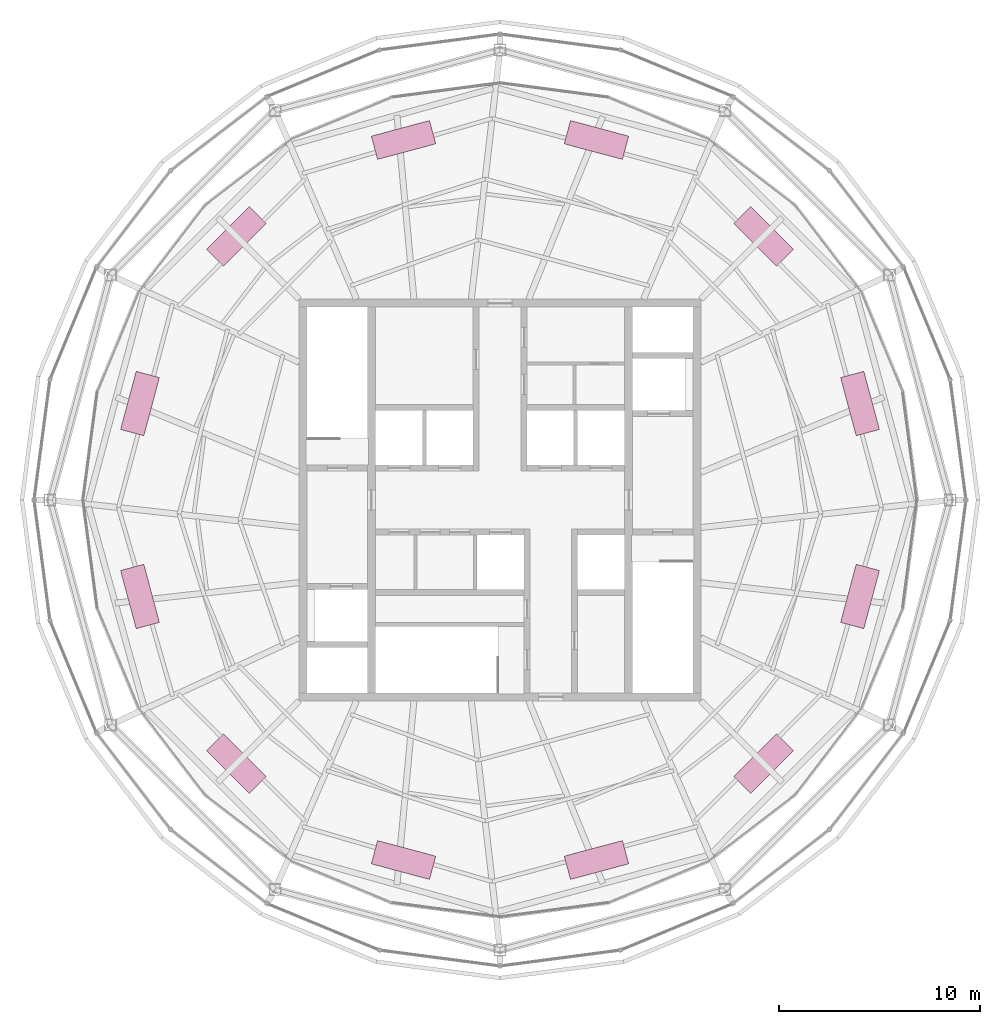
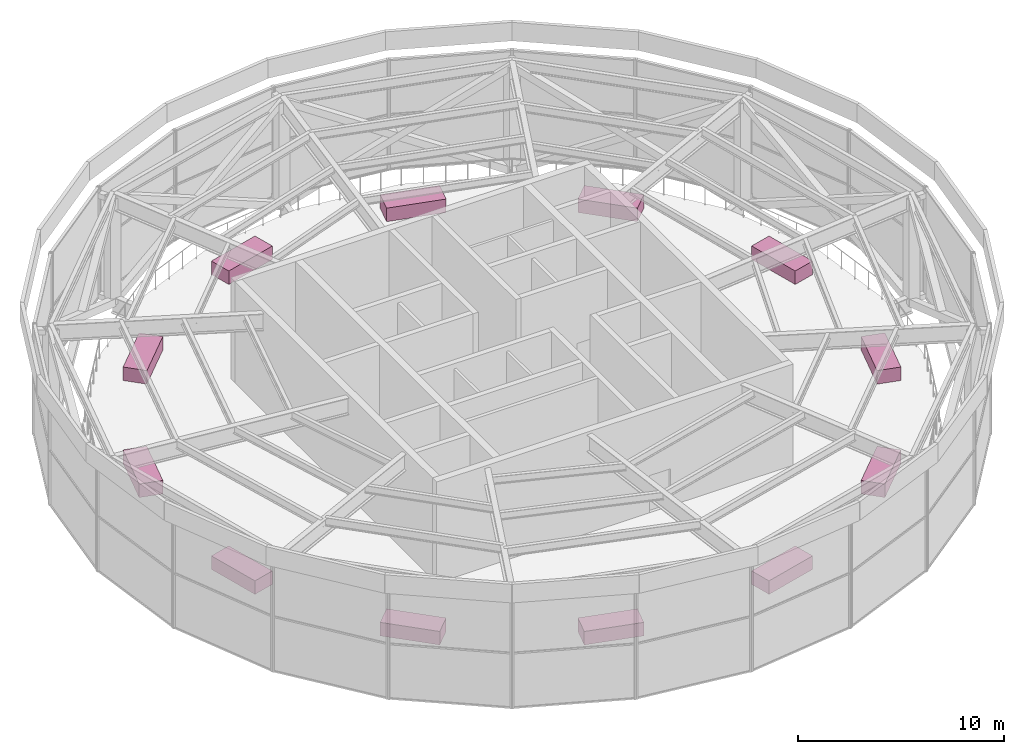
# One storey, part 13 of 13: 12 furniture elements.
"""IFC4 building model written with IfcOpenShell, lengths in metres."""

import ifcopenshell
import ifcopenshell.guid

model = None  # the IFC model being written
_history = None  # IfcOwnerHistory: only IFC2X3 demands one
_inside = {}  # id of a spatial element -> (the spatial element, [elements in it])
_under = {}  # id of a project, library or spatial element -> (it, [spatial elements below it])
_declared = {}  # id of a project -> (the project, [libraries it declares])
_typed = {}  # id of a type object -> (the type object, [elements of that type])
_made_of = {}  # id of a material, layer set ... -> (it, [elements and type objects made of it])


def new_model(schema):
    """Start an empty IFC model of exactly this schema.

    Asked for "IFC4X3", IfcOpenShell would pick the latest addendum, in which some entities
    have other attributes; the version numbers below select the first issue.
    IFC2X3 requires an IfcOwnerHistory on every rooted entity: one is made here for all.
    """
    global model, _history
    if schema == "IFC4X3":
        model = ifcopenshell.file(schema_version=(4, 3, 0, 0))
    else:
        model = ifcopenshell.file(schema=schema)
    _inside.clear()
    _under.clear()
    _declared.clear()
    _typed.clear()
    _made_of.clear()
    _history = None
    if model.schema == "IFC2X3":
        org = make("IfcOrganization", Name="unknown")
        user = make(
            "IfcPersonAndOrganization",
            ThePerson=make("IfcPerson", FamilyName="unknown"),
            TheOrganization=org,
        )
        app = make(
            "IfcApplication",
            ApplicationDeveloper=org,
            Version="unknown",
            ApplicationFullName="unknown",
            ApplicationIdentifier="unknown",
        )
        _history = make(
            "IfcOwnerHistory",
            OwningUser=user,
            OwningApplication=app,
            ChangeAction="ADDED",
            CreationDate=0,
        )
    return model


def make(cls, **values):
    """One entity of the class cls with the attributes given. An attribute that is None is left unset."""
    return model.create_entity(
        cls, **{name: value for name, value in values.items() if value is not None}
    )


def rooted(cls, **values):
    """An entity with a GlobalId (a new one), such as an element, a storey or a relation."""
    return make(cls, GlobalId=ifcopenshell.guid.new(), OwnerHistory=_history, **values)


def si_unit(unit_type, name, prefix=None):
    """IfcSIUnit, for example si_unit("LENGTHUNIT", "METRE", prefix="MILLI")."""
    return make("IfcSIUnit", UnitType=unit_type, Prefix=prefix, Name=name)


def assignment(units):
    """IfcUnitAssignment: the units of a project."""
    return None if units is None else make("IfcUnitAssignment", Units=units)


def point(xyz):
    """IfcCartesianPoint."""
    return None if xyz is None else make("IfcCartesianPoint", Coordinates=xyz)


def direction(xyz):
    """IfcDirection."""
    return None if xyz is None else make("IfcDirection", DirectionRatios=xyz)


def frame(location, z_axis=None, x_axis=None):
    """IfcAxis2Placement3D, a coordinate frame: its origin and axes. An axis left out is left unset."""
    return make(
        "IfcAxis2Placement3D",
        Location=point(location),
        Axis=direction(z_axis),
        RefDirection=direction(x_axis),
    )


def frame_2d(location, x_axis=None):
    """IfcAxis2Placement2D, a coordinate frame in the plane: its origin and x axis."""
    return make(
        "IfcAxis2Placement2D", Location=point(location), RefDirection=direction(x_axis)
    )


def origin():
    """The frame at (0, 0, 0) with its axes left unset."""
    return frame((0.0, 0.0, 0.0))


def origin_2d():
    """The frame at (0, 0) in the plane with its x axis left unset."""
    return frame_2d((0.0, 0.0))


def place(relative_to, where):
    """IfcLocalPlacement: puts the frame where relative to a parent placement (None: the world)."""
    return make(
        "IfcLocalPlacement", PlacementRelTo=relative_to, RelativePlacement=where
    )


def context(
    kind, dimensions, precision=None, world=None, true_north=None, identifier=None
):
    """IfcGeometricRepresentationContext, for example the 3D "Model" context."""
    return make(
        "IfcGeometricRepresentationContext",
        ContextIdentifier=identifier,
        ContextType=kind,
        CoordinateSpaceDimension=dimensions,
        Precision=precision,
        WorldCoordinateSystem=world,
        TrueNorth=true_north,
    )


def subcontext(parent, identifier, kind, view, scale=None):
    """IfcGeometricRepresentationSubContext, for example "Body" below "Model"."""
    return make(
        "IfcGeometricRepresentationSubContext",
        ContextIdentifier=identifier,
        ContextType=kind,
        ParentContext=parent,
        TargetScale=scale,
        TargetView=view,
    )


def project(units=None, contexts=None):
    """IfcProject with its units and contexts."""
    return rooted(
        "IfcProject",
        Name="project",
        RepresentationContexts=contexts,
        UnitsInContext=assignment(units),
    )


def spatial(cls, under=None, at=None, **own):
    """A site, building, storey or space (cls), placed at a placement, below another one or the project."""
    s = rooted(cls, ObjectPlacement=at, **own)
    if under is not None:
        _under.setdefault(under.id(), (under, []))[1].append(s)
    return s


def profile(cls, at=None, kind="AREA", **sizes):
    """A parametric profile (cls). Its sizes go by their IFC names, for example OverallWidth=200.0."""
    return make(cls, ProfileType=kind, Position=at, **sizes)


def rectangle(**sizes):
    """IfcRectangleProfileDef."""
    return profile("IfcRectangleProfileDef", **sizes)


def extrude(swept, where, along, depth):
    """IfcExtrudedAreaSolid: the profile swept, set in the frame where, extruded along a direction by depth."""
    return make(
        "IfcExtrudedAreaSolid",
        SweptArea=swept,
        Position=where,
        ExtrudedDirection=direction(along),
        Depth=depth,
    )


def shape(context_of_items, identifier, shape_type, items):
    """IfcShapeRepresentation: the items that make up one representation, for example the "Body"."""
    return make(
        "IfcShapeRepresentation",
        ContextOfItems=context_of_items,
        RepresentationIdentifier=identifier,
        RepresentationType=shape_type,
        Items=items,
    )


def made_of(thing, what):
    """Note that an element or type object is made of a material, layer set ...; save() writes the relation."""
    if what is not None:
        _made_of.setdefault(what.id(), (what, []))[1].append(thing)
    return thing


def element(
    cls,
    number,
    at=None,
    inside=None,
    cuts=None,
    type_object=None,
    material=None,
    context=None,
    identifier="Body",
    shape_type=None,
    held_by="IfcProductDefinitionShape",
    body=None,
    shapes=None,
    **own,
):
    """One element of the class cls, such as IfcWall. Its Tag is "e" and its number.

    at: its placement. inside: the storey or other place that contains it. cuts: it is an
    opening in that element (IfcRelVoidsElement). A single representation is given by context,
    identifier, shape_type and body (its items); several are given by shapes. held_by: the class
    of the entity that holds the representations. save() writes the other relations.
    """
    e = rooted(cls, Tag="e%d" % number, ObjectPlacement=at, **own)
    if body is not None:
        shapes = [shape(context, identifier, shape_type, body)]
    if shapes is not None:
        e.Representation = make(held_by, Representations=shapes)
    if inside is not None:
        _inside.setdefault(inside.id(), (inside, []))[1].append(e)
    if cuts is not None:
        rooted(
            "IfcRelVoidsElement", RelatingBuildingElement=cuts, RelatedOpeningElement=e
        )
    if type_object is not None:
        _typed.setdefault(type_object.id(), (type_object, []))[1].append(e)
    return made_of(e, material)


def aggregate(whole, parts):
    """IfcRelAggregates: a whole, such as a stair, and the parts it consists of."""
    return rooted("IfcRelAggregates", RelatingObject=whole, RelatedObjects=parts)


def save(model, path):
    """Write the relations noted so far, then the file.

    IfcRelAggregates (storeys below a building ...), IfcRelContainedInSpatialStructure (elements
    in a storey), IfcRelDefinesByType, IfcRelAssociatesMaterial and IfcRelDeclares: one each for
    every whole, place, type object, material and project.
    """
    for whole, parts in _under.values():
        aggregate(whole, parts)
    for where, things in _inside.values():
        rooted(
            "IfcRelContainedInSpatialStructure",
            RelatedElements=things,
            RelatingStructure=where,
        )
    for kind, things in _typed.values():
        rooted("IfcRelDefinesByType", RelatedObjects=things, RelatingType=kind)
    for what, things in _made_of.values():
        rooted("IfcRelAssociatesMaterial", RelatedObjects=things, RelatingMaterial=what)
    for by, libraries in _declared.values():
        rooted("IfcRelDeclares", RelatingContext=by, RelatedDefinitions=libraries)
    model.write(path)


model = new_model("IFC4")

# Units and contexts
model_context = context("Model", 3, precision=1e-05, world=origin(), true_north=direction((0.0, 1.0)))
body_context = subcontext(model_context, "Body", "Model", "MODEL_VIEW")
ifc_project = project(units=[si_unit("LENGTHUNIT", "METRE"), si_unit("AREAUNIT", "SQUARE_METRE"), si_unit("VOLUMEUNIT", "CUBIC_METRE"), si_unit("PLANEANGLEUNIT", "RADIAN"), si_unit("MASSUNIT", "GRAM", prefix="KILO")], contexts=[model_context])

# Site, building, storey
site_placement = place(None, origin())
site = spatial("IfcSite", under=ifc_project, at=site_placement, CompositionType="ELEMENT")
building_placement = place(site_placement, origin())
building = spatial("IfcBuilding", under=site, at=building_placement, Name="Golbaran Civic Tower", CompositionType="ELEMENT")
storey_placement = place(building_placement, frame((0.0, 0.0, 284.0)))
storey = spatial("IfcBuildingStorey", under=building, at=storey_placement, Name="L69", CompositionType="ELEMENT", Elevation=284.0)

# Furniture
for number, where, z_axis, x_axis, name in (
    (1, (17.923828125, 4.802734375, 0.0), (0.0, 0.0, 1.0), (-0.258819045103, 0.965925826289, 0.0), "Roof garden planter 1"),
    (2, (13.12109375, 13.12109375, 0.0), (0.0, 0.0, 1.0), (-0.707106781187, 0.707106781187, 0.0), "Roof garden planter 2"),
    (3, (4.802734375, 17.923828125, 0.0), (0.0, 0.0, 1.0), (-0.965925826289, 0.258819045103, 0.0), "Roof garden planter 3"),
    (4, (-4.802734375, 17.923828125, 0.0), (0.0, 0.0, 1.0), (-0.965925826289, -0.258819045103, 0.0), "Roof garden planter 4"),
    (5, (-13.12109375, 13.12109375, 0.0), (0.0, 0.0, 1.0), (-0.707106781187, -0.707106781187, 0.0), "Roof garden planter 5"),
    (6, (-17.923828125, 4.802734375, 0.0), (0.0, 0.0, 1.0), (-0.258819045103, -0.965925826289, 0.0), "Roof garden planter 6"),
    (7, (-17.923828125, -4.802734375, 0.0), (0.0, 0.0, 1.0), (0.258819045103, -0.965925826289, 0.0), "Roof garden planter 7"),
    (8, (-13.12109375, -13.12109375, 0.0), (0.0, 0.0, 1.0), (0.707106781187, -0.707106781187, 0.0), "Roof garden planter 8"),
    (9, (-4.802734375, -17.923828125, 0.0), (0.0, 0.0, 1.0), (0.965925826289, -0.258819045103, 0.0), "Roof garden planter 9"),
    (10, (4.802734375, -17.923828125, 0.0), (0.0, 0.0, 1.0), (0.965925826289, 0.258819045103, 0.0), "Roof garden planter 10"),
    (11, (13.12109375, -13.12109375, 0.0), (0.0, 0.0, 1.0), (0.707106781187, 0.707106781187, 0.0), "Roof garden planter 11"),
    (12, (17.923828125, -4.802734375, 0.0), (0.0, 0.0, 1.0), (0.258819045103, 0.965925826289, 0.0), "Roof garden planter 12"),
):
    element("IfcFurniture", number, at=place(storey_placement, frame(where, z_axis=z_axis, x_axis=x_axis)), inside=storey, Name=name, ObjectType="PLANTER", PredefinedType="USERDEFINED", context=body_context, shape_type="SweptSolid", body=[
        extrude(rectangle(XDim=3.0, YDim=1.199951171875, at=origin_2d()), origin(), (0.0, 0.0, 1.0), 0.800048828125),
    ])

save(model, "model.ifc")
